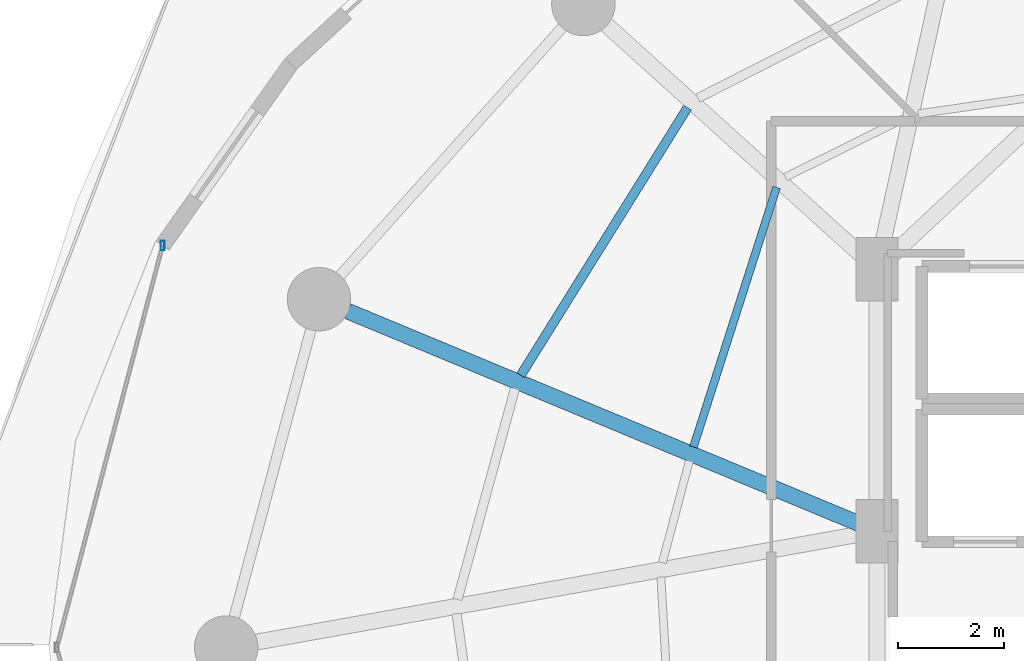
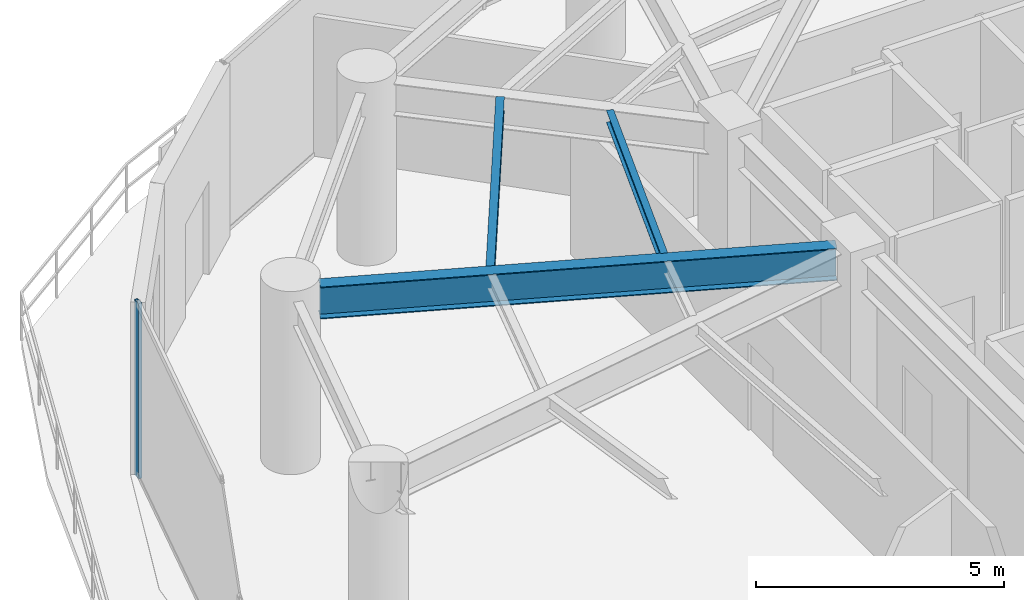
# One storey, part 8 of 27: 3 beams, 1 member, 1 element without a shape of its own.
"""IFC4 building model written with IfcOpenShell, lengths in metres."""

from ifc_helpers import new_model, si_unit, direction, frame, origin, origin_2d, place, context, subcontext, project, spatial, hollow_rectangle, i_section, extrude, material, material_profile, profile_set, type_object, element, aggregate, save


model = new_model("IFC4")

# Units and contexts
model_context = context("Model", 3, precision=1e-05, world=origin(), true_north=direction((0.0, 1.0)))
body_context = subcontext(model_context, "Body", "Model", "MODEL_VIEW")
ifc_project = project(units=[si_unit("LENGTHUNIT", "METRE"), si_unit("AREAUNIT", "SQUARE_METRE"), si_unit("VOLUMEUNIT", "CUBIC_METRE"), si_unit("PLANEANGLEUNIT", "RADIAN"), si_unit("MASSUNIT", "GRAM", prefix="KILO")], contexts=[model_context])

# Site, building, storey
site_placement = place(None, origin())
site = spatial("IfcSite", under=ifc_project, at=site_placement, CompositionType="ELEMENT")
building_placement = place(site_placement, origin())
building = spatial("IfcBuilding", under=site, at=building_placement, Name="Vorneva Point Tower", CompositionType="ELEMENT")
storey_placement = place(building_placement, frame((0.0, 0.0, 74.300048828125)))
storey = spatial("IfcBuildingStorey", under=building, at=storey_placement, Name="L19", CompositionType="ELEMENT", Elevation=74.300048828125)

# Beams
ifc_material_1 = material(Name="Steel S355", Category="steel")
ifc_material_profile_1 = material_profile(ifc_material_1, i_section(OverallWidth=0.300048828125, OverallDepth=0.7880859375, WebThickness=0.014404296875, FlangeThickness=0.02197265625, at=origin_2d()), Name="80Sh1")
ifc_profile_set_1 = profile_set([ifc_material_profile_1], Name="Steel S355")
beam_type_1 = type_object("IfcBeamType", Name="BM-GRD-80Sh1", PredefinedType="USERDEFINED", material=ifc_profile_set_1)
beam_1_placement = place(storey_placement, frame((17.24755859375, 32.356689453125, 3.845947265625), z_axis=(0.923440015882, -0.383742800673, 0.0), x_axis=(0.383742800673, 0.923440015882, 0.0)))
element("IfcBeam", 1, at=beam_1_placement, inside=storey, type_object=beam_type_1, Name="L19 Radial Primary Girder 08", ObjectType="GIRDER", PredefinedType="USERDEFINED", context=body_context, shape_type="SweptSolid", body=[
    extrude(i_section(OverallWidth=0.300048828125, OverallDepth=0.7880859375, WebThickness=0.014404296875, FlangeThickness=0.02197265625, at=origin_2d()), origin(), (0.0, 0.0, 1.0), 10.49169921875),
])
ifc_material_profile_2 = material_profile(ifc_material_1, i_section(OverallWidth=0.14892578125, OverallDepth=0.298095703125, WebThickness=0.005615234375, FlangeThickness=0.008056640625, at=origin_2d()), Name="30B1")
ifc_profile_set_2 = profile_set([ifc_material_profile_2], Name="Steel S355")
beam_type_2 = type_object("IfcBeamType", Name="BM-JST-30B1", PredefinedType="JOIST", material=ifc_profile_set_2)
beam_2_placement = place(storey_placement, frame((25.351806640625, 34.6953125, 4.091064453125), z_axis=(-0.304999323935, -0.952352567277, 0.0), x_axis=(0.952352567277, -0.304999323935, 0.0)))
element("IfcBeam", 2, at=beam_2_placement, inside=storey, type_object=beam_type_2, Name="L19 Secondary Floor Beam 2.07", PredefinedType="JOIST", context=body_context, shape_type="SweptSolid", body=[
    extrude(i_section(OverallWidth=0.14892578125, OverallDepth=0.298095703125, WebThickness=0.005615234375, FlangeThickness=0.008056640625, at=origin_2d()), origin(), (0.0, 0.0, 1.0), 5.150146484375),
])
ifc_material_profile_3 = material_profile(ifc_material_1, i_section(OverallWidth=0.174072265625, OverallDepth=0.345947265625, WebThickness=0.006103515625, FlangeThickness=0.009033203125, at=origin_2d()), Name="35B1")
ifc_profile_set_3 = profile_set([ifc_material_profile_3], Name="Steel S355")
beam_type_3 = type_object("IfcBeamType", Name="BM-SEC-35B1", PredefinedType="BEAM", material=ifc_profile_set_3)
beam_3_placement = place(storey_placement, frame((23.66845703125, 36.2021484375, 4.06689453125), z_axis=(-0.528812473056, -0.848738692614, 0.0), x_axis=(0.848738692614, -0.528812473056, 0.0)))
element("IfcBeam", 3, at=beam_3_placement, inside=storey, type_object=beam_type_3, Name="L19 Secondary Floor Beam 1.07", PredefinedType="BEAM", context=body_context, shape_type="SweptSolid", body=[
    extrude(i_section(OverallWidth=0.174072265625, OverallDepth=0.345947265625, WebThickness=0.006103515625, FlangeThickness=0.009033203125, at=origin_2d()), origin(), (0.0, 0.0, 1.0), 5.95849609375),
])

# Curtain wall, member
ifc_material_2 = material(Name="Pale anodised aluminium", Category="aluminium")
curtain_wall_type = type_object("IfcCurtainWallType", Name="CW-SKY-SYS", PredefinedType="NOTDEFINED", material=ifc_material_2)
curtain_wall_placement = place(storey_placement, origin())
curtain_wall = element("IfcCurtainWall", 4, at=curtain_wall_placement, inside=storey, type_object=curtain_wall_type, Name="L19 Unitised Curtain Wall CW-L19-R03", PredefinedType="NOTDEFINED")
ifc_material_profile_4 = material_profile(ifc_material_2, hollow_rectangle(XDim=0.074951171875, YDim=0.179931640625, WallThickness=0.00390625, at=origin_2d()), Name="AL-MUL 180x75x4")
ifc_profile_set_4 = profile_set([ifc_material_profile_4], Name="Pale anodised aluminium")
member_type = type_object("IfcMemberType", Name="CW-MUL-180", PredefinedType="MULLION", material=ifc_profile_set_4)
member_placement = place(storey_placement, frame((13.748291015625, 33.59619140625, -0.0400390625), z_axis=(0.0, 0.0, 1.0), x_axis=(1.0, 0.0, 0.0)))
member = element("IfcMember", 5, at=member_placement, type_object=member_type, Name="CW-L19-R03 Mullion 01", PredefinedType="MULLION", context=body_context, shape_type="SweptSolid", body=[
    extrude(hollow_rectangle(XDim=0.074951171875, YDim=0.179931640625, WallThickness=0.00390625, at=origin_2d()), origin(), (0.0, 0.0, 1.0), 4.31005859375),
])
aggregate(curtain_wall, [member])

save(model, "model.ifc")
